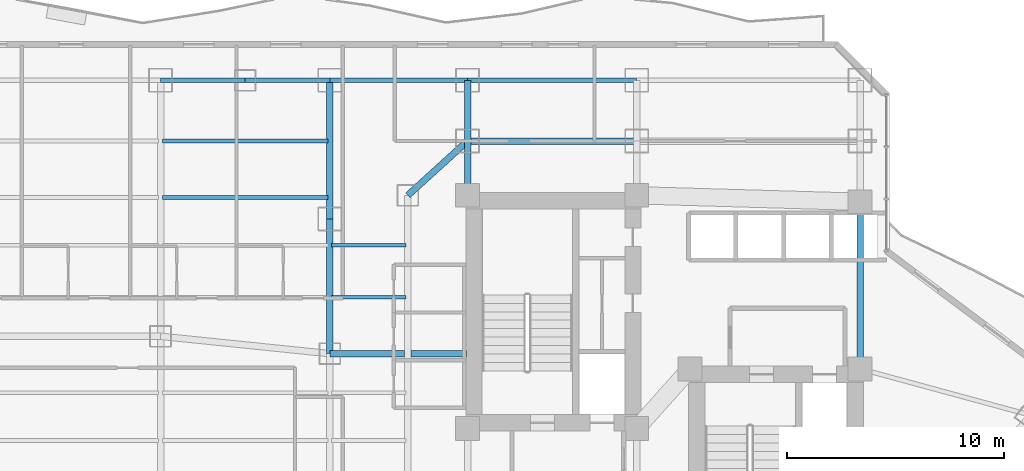
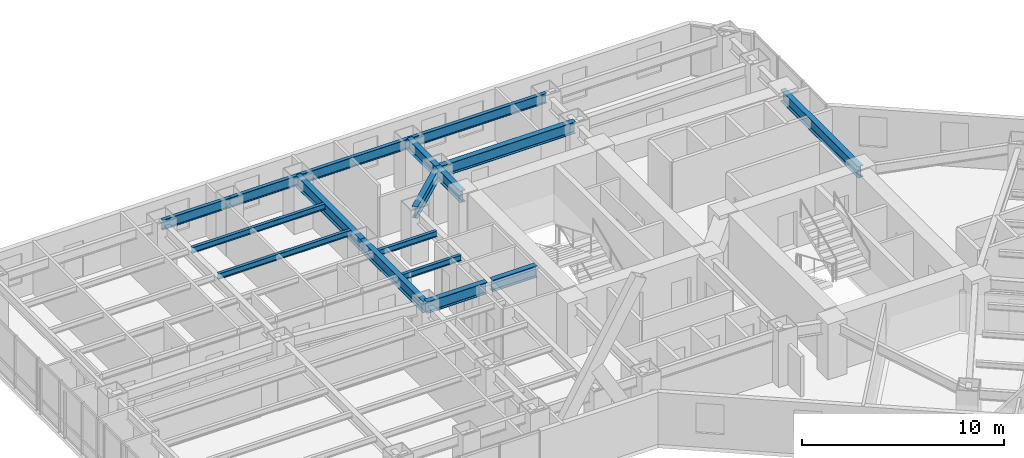
# One storey, part 17 of 33: 17 beams.
"""IFC4 building model written with IfcOpenShell, lengths in metres."""

from ifc_helpers import new_model, si_unit, direction, frame, origin, origin_2d, place, context, subcontext, project, spatial, i_section, extrude, material, material_profile, profile_set, type_object, element, save


model = new_model("IFC4")

# Units and contexts
model_context = context("Model", 3, precision=1e-05, world=origin(), true_north=direction((0.0, 1.0)))
body_context = subcontext(model_context, "Body", "Model", "MODEL_VIEW")
ifc_project = project(units=[si_unit("LENGTHUNIT", "METRE"), si_unit("AREAUNIT", "SQUARE_METRE"), si_unit("VOLUMEUNIT", "CUBIC_METRE"), si_unit("PLANEANGLEUNIT", "RADIAN"), si_unit("MASSUNIT", "GRAM", prefix="KILO")], contexts=[model_context])

# Site, building, storey
site_placement = place(None, origin())
site = spatial("IfcSite", under=ifc_project, at=site_placement, CompositionType="ELEMENT")
building_placement = place(site_placement, origin())
building = spatial("IfcBuilding", under=site, at=building_placement, Name="Hatsunagi Terrace Concourse", CompositionType="ELEMENT")
storey_placement = place(building_placement, frame((0.0, 0.0, 43.300048828125)))
storey = spatial("IfcBuildingStorey", under=building, at=storey_placement, Name="L10", CompositionType="ELEMENT", Elevation=43.300048828125)

# Beams
ifc_material_1 = material(Name="Steel SN490B", Category="steel")
ifc_material_profile_1 = material_profile(ifc_material_1, i_section(OverallWidth=0.300048828125, OverallDepth=0.699951171875, WebThickness=0.012939453125, FlangeThickness=0.02392578125, FilletRadius=0.02197265625, at=origin_2d()), Name="H-700x300x13x24")
ifc_profile_set_1 = profile_set([ifc_material_profile_1], Name="Steel SN490B")
beam_type_1 = type_object("IfcBeamType", Name="HotelFloorGirder_H_700x300", PredefinedType="BEAM", material=ifc_profile_set_1)
beam_1_placement = place(storey_placement, frame((43.64990234375, 35.300048828125, 2.780029296875), z_axis=(0.0, 1.0, 0.0), x_axis=(-1.0, 0.0, 0.0)))
element("IfcBeam", 1, at=beam_1_placement, inside=storey, type_object=beam_type_1, Name="Beam G-04 BM-L10-CBK3", PredefinedType="BEAM", context=body_context, shape_type="SweptSolid", body=[
    extrude(i_section(OverallWidth=0.300048828125, OverallDepth=0.699951171875, WebThickness=0.012939453125, FlangeThickness=0.02392578125, FilletRadius=0.02197265625, at=origin_2d()), origin(), (0.0, 0.0, 1.0), 7.699951171875),
])
beam_2_placement = place(storey_placement, frame((25.550048828125, 43.300048828125, 2.780029296875), z_axis=(0.0, 1.0, 0.0), x_axis=(-1.0, 0.0, 0.0)))
element("IfcBeam", 2, at=beam_2_placement, inside=storey, type_object=beam_type_1, Name="Beam G-04 BM-L10-CN1", PredefinedType="BEAM", context=body_context, shape_type="SweptSolid", body=[
    extrude(i_section(OverallWidth=0.300048828125, OverallDepth=0.699951171875, WebThickness=0.012939453125, FlangeThickness=0.02392578125, FilletRadius=0.02197265625, at=origin_2d()), origin(), (0.0, 0.0, 1.0), 2.5),
])
beam_3_placement = place(storey_placement, frame((25.550048828125, 45.800048828125, 2.780029296875), z_axis=(1.0, 0.0, 0.0), x_axis=(0.0, 1.0, 0.0)))
element("IfcBeam", 3, at=beam_3_placement, inside=storey, type_object=beam_type_1, Name="Beam G-04 BM-L10-CNEW1", PredefinedType="BEAM", context=body_context, shape_type="SweptSolid", body=[
    extrude(i_section(OverallWidth=0.300048828125, OverallDepth=0.699951171875, WebThickness=0.012939453125, FlangeThickness=0.02392578125, FilletRadius=0.02197265625, at=origin_2d()), origin(), (0.0, 0.0, 1.0), 7.800048828125),
])
beam_4_placement = place(storey_placement, frame((25.550048828125, 45.800048828125, 2.780029296875), z_axis=(0.0, 1.0, 0.0), x_axis=(-1.0, 0.0, 0.0)))
element("IfcBeam", 4, at=beam_4_placement, inside=storey, type_object=beam_type_1, Name="Beam G-04 BM-L10-KN-WN4", PredefinedType="BEAM", context=body_context, shape_type="SweptSolid", body=[
    extrude(i_section(OverallWidth=0.300048828125, OverallDepth=0.699951171875, WebThickness=0.012939453125, FlangeThickness=0.02392578125, FilletRadius=0.02197265625, at=origin_2d()), origin(), (0.0, 0.0, 1.0), 2.800048828125),
])
beam_5_placement = place(storey_placement, frame((22.800048828125, 43.300048828125, 2.780029296875), z_axis=(0.739940073396, 0.672672793996, 0.0), x_axis=(-0.672672793996, 0.739940073396, 0.0)))
element("IfcBeam", 5, at=beam_5_placement, inside=storey, type_object=beam_type_1, Name="Beam G-04 BM-L10-CWEW-N", PredefinedType="BEAM", context=body_context, shape_type="SweptSolid", body=[
    extrude(i_section(OverallWidth=0.300048828125, OverallDepth=0.699951171875, WebThickness=0.012939453125, FlangeThickness=0.02392578125, FilletRadius=0.02197265625, at=origin_2d()), origin(), (0.0, 0.0, 1.0), 3.716552734375),
])
beam_6_placement = place(storey_placement, frame((19.199951171875, 36.0, 2.780029296875), z_axis=(0.0, 1.0, 0.0), x_axis=(-1.0, 0.0, 0.0)))
element("IfcBeam", 6, at=beam_6_placement, inside=storey, type_object=beam_type_1, Name="Beam G-04 BM-L10-NS-19-36", PredefinedType="BEAM", context=body_context, shape_type="SweptSolid", body=[
    extrude(i_section(OverallWidth=0.300048828125, OverallDepth=0.699951171875, WebThickness=0.012939453125, FlangeThickness=0.02392578125, FilletRadius=0.02197265625, at=origin_2d()), origin(), (0.0, 0.0, 1.0), 6.199951171875),
])
beam_7_placement = place(storey_placement, frame((19.199951171875, 42.199951171875, 2.780029296875), z_axis=(0.0, 1.0, 0.0), x_axis=(-1.0, 0.0, 0.0)))
element("IfcBeam", 7, at=beam_7_placement, inside=storey, type_object=beam_type_1, Name="Beam G-04 BM-L10-NS-19-42", PredefinedType="BEAM", context=body_context, shape_type="SweptSolid", body=[
    extrude(i_section(OverallWidth=0.300048828125, OverallDepth=0.699951171875, WebThickness=0.012939453125, FlangeThickness=0.02392578125, FilletRadius=0.02197265625, at=origin_2d()), origin(), (0.0, 0.0, 1.0), 6.400146484375),
])
beam_8_placement = place(storey_placement, frame((19.199951171875, 36.0, 2.780029296875), z_axis=(1.0, 0.0, 0.0), x_axis=(0.0, 1.0, 0.0)))
element("IfcBeam", 8, at=beam_8_placement, inside=storey, type_object=beam_type_1, Name="Beam G-04 BM-L10-EW-3", PredefinedType="BEAM", context=body_context, shape_type="SweptSolid", body=[
    extrude(i_section(OverallWidth=0.300048828125, OverallDepth=0.699951171875, WebThickness=0.012939453125, FlangeThickness=0.02392578125, FilletRadius=0.02197265625, at=origin_2d()), origin(), (0.0, 0.0, 1.0), 3.449951171875),
])
beam_9_placement = place(storey_placement, frame((22.949951171875, 36.0, 2.780029296875), z_axis=(1.0, 0.0, 0.0), x_axis=(0.0, 1.0, 0.0)))
element("IfcBeam", 9, at=beam_9_placement, inside=storey, type_object=beam_type_1, Name="Beam G-04 BM-L10-EW-4", PredefinedType="BEAM", context=body_context, shape_type="SweptSolid", body=[
    extrude(i_section(OverallWidth=0.300048828125, OverallDepth=0.699951171875, WebThickness=0.012939453125, FlangeThickness=0.02392578125, FilletRadius=0.02197265625, at=origin_2d()), origin(), (0.0, 0.0, 1.0), 2.56005859375),
])
ifc_material_2 = material(Name="Steel SN490B", Category="steel")
ifc_material_profile_2 = material_profile(ifc_material_2, i_section(OverallWidth=0.175048828125, OverallDepth=0.35009765625, WebThickness=0.007080078125, FlangeThickness=0.010986328125, FilletRadius=0.012939453125, at=origin_2d()), Name="H-350x175x7x11")
ifc_profile_set_2 = profile_set([ifc_material_profile_2], Name="Steel SN490B")
beam_type_2 = type_object("IfcBeamType", Name="HotelJoist_H_350x175", PredefinedType="JOIST", material=ifc_profile_set_2)
for number, where, z_axis, x_axis, name in (
    (10, (19.284912109375, 38.60009765625, 2.954833984375), (1.0, 0.0, 0.0), (0.0, 1.0, 0.0), "Beam J-02 J-L10-W-19-386"),
    (11, (19.284912109375, 41.0, 2.954833984375), (1.0, 0.0, 0.0), (0.0, 1.0, 0.0), "Beam J-02 J-L10-W-19-410"),
):
    element("IfcBeam", number, at=place(storey_placement, frame(where, z_axis=z_axis, x_axis=x_axis)), inside=storey, type_object=beam_type_2, Name=name, PredefinedType="JOIST", context=body_context, shape_type="SweptSolid", body=[
        extrude(i_section(OverallWidth=0.175048828125, OverallDepth=0.35009765625, WebThickness=0.007080078125, FlangeThickness=0.010986328125, FilletRadius=0.012939453125, at=origin_2d()), origin(), (0.0, 0.0, 1.0), 3.43017578125),
    ])
for number, where, z_axis, x_axis, name in (
    (12, (11.485107421875, 43.199951171875, 2.954833984375), (1.0, 0.0, 0.0), (0.0, 1.0, 0.0), "Beam J-02 J-L10-W-11-432"),
    (13, (11.485107421875, 45.800048828125, 2.954833984375), (1.0, 0.0, 0.0), (0.0, 1.0, 0.0), "Beam J-02 J-L10-W-11-458"),
):
    element("IfcBeam", number, at=place(storey_placement, frame(where, z_axis=z_axis, x_axis=x_axis)), inside=storey, type_object=beam_type_2, Name=name, PredefinedType="JOIST", context=body_context, shape_type="SweptSolid", body=[
        extrude(i_section(OverallWidth=0.175048828125, OverallDepth=0.35009765625, WebThickness=0.007080078125, FlangeThickness=0.010986328125, FilletRadius=0.012939453125, at=origin_2d()), origin(), (0.0, 0.0, 1.0), 7.6298828125),
    ])
ifc_material_3 = material(Name="Steel SN490B", Category="steel")
ifc_material_profile_3 = material_profile(ifc_material_3, i_section(OverallWidth=0.199951171875, OverallDepth=0.60009765625, WebThickness=0.010986328125, FlangeThickness=0.01708984375, FilletRadius=0.01806640625, at=origin_2d()), Name="H-600x200x11x17")
ifc_profile_set_3 = profile_set([ifc_material_profile_3], Name="Steel SN490B")
beam_type_3 = type_object("IfcBeamType", Name="PerimeterSpandrel_H_600x200", PredefinedType="SPANDREL", material=ifc_profile_set_3)
beam_10_placement = place(storey_placement, frame((11.39990234375, 48.60009765625, 2.829833984375), z_axis=(1.0, 0.0, 0.0), x_axis=(0.0, 1.0, 0.0)))
element("IfcBeam", 14, at=beam_10_placement, inside=storey, type_object=beam_type_3, Name="Beam SP-01 BM-L10-WN-11", PredefinedType="SPANDREL", context=body_context, shape_type="SweptSolid", body=[
    extrude(i_section(OverallWidth=0.199951171875, OverallDepth=0.60009765625, WebThickness=0.010986328125, FlangeThickness=0.01708984375, FilletRadius=0.01806640625, at=origin_2d()), origin(), (0.0, 0.0, 1.0), 3.900146484375),
])
beam_11_placement = place(storey_placement, frame((15.300048828125, 48.60009765625, 2.829833984375), z_axis=(1.0, 0.0, 0.0), x_axis=(0.0, 1.0, 0.0)))
element("IfcBeam", 15, at=beam_11_placement, inside=storey, type_object=beam_type_3, Name="Beam SP-01 BM-L10-WN-15", PredefinedType="SPANDREL", context=body_context, shape_type="SweptSolid", body=[
    extrude(i_section(OverallWidth=0.199951171875, OverallDepth=0.60009765625, WebThickness=0.010986328125, FlangeThickness=0.01708984375, FilletRadius=0.01806640625, at=origin_2d()), origin(), (0.0, 0.0, 1.0), 3.89990234375),
])
beam_12_placement = place(storey_placement, frame((19.199951171875, 48.60009765625, 2.829833984375), z_axis=(1.0, 0.0, 0.0), x_axis=(0.0, 1.0, 0.0)))
element("IfcBeam", 16, at=beam_12_placement, inside=storey, type_object=beam_type_3, Name="Beam SP-01 BM-L10-WN-19", PredefinedType="SPANDREL", context=body_context, shape_type="SweptSolid", body=[
    extrude(i_section(OverallWidth=0.199951171875, OverallDepth=0.60009765625, WebThickness=0.010986328125, FlangeThickness=0.01708984375, FilletRadius=0.01806640625, at=origin_2d()), origin(), (0.0, 0.0, 1.0), 6.35009765625),
])
beam_13_placement = place(storey_placement, frame((25.550048828125, 48.60009765625, 2.829833984375), z_axis=(1.0, 0.0, 0.0), x_axis=(0.0, 1.0, 0.0)))
element("IfcBeam", 17, at=beam_13_placement, inside=storey, type_object=beam_type_3, Name="Beam SP-01 BM-L10-WN-25", PredefinedType="SPANDREL", context=body_context, shape_type="SweptSolid", body=[
    extrude(i_section(OverallWidth=0.199951171875, OverallDepth=0.60009765625, WebThickness=0.010986328125, FlangeThickness=0.01708984375, FilletRadius=0.01806640625, at=origin_2d()), origin(), (0.0, 0.0, 1.0), 7.800048828125),
])

save(model, "model.ifc")
